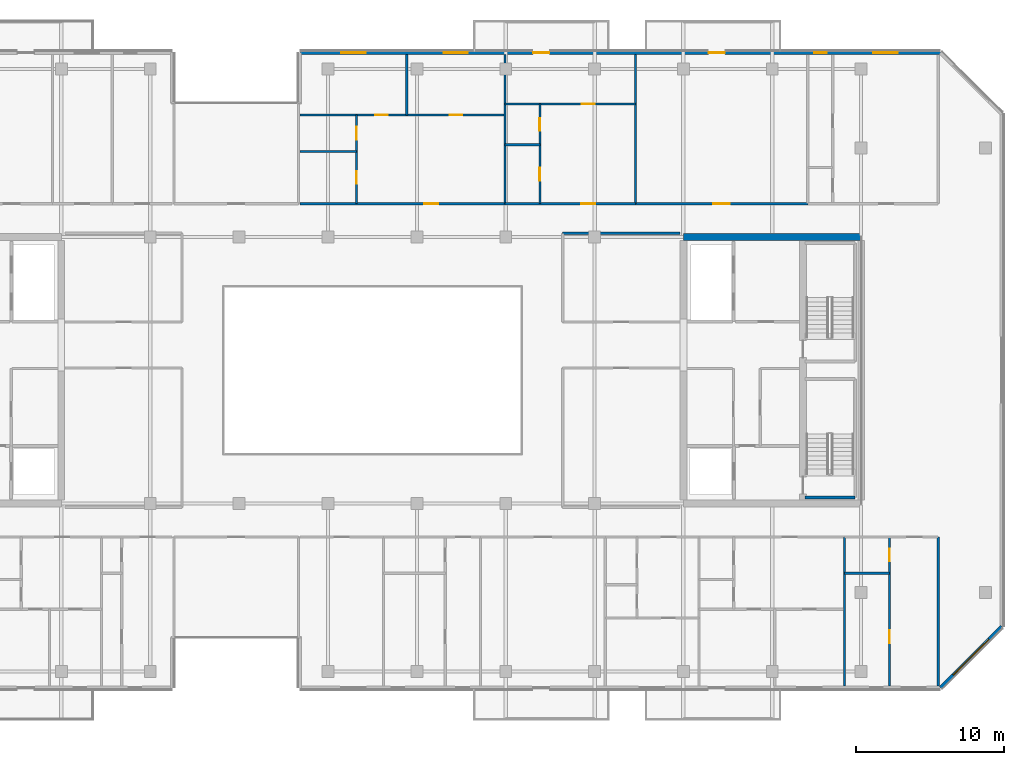
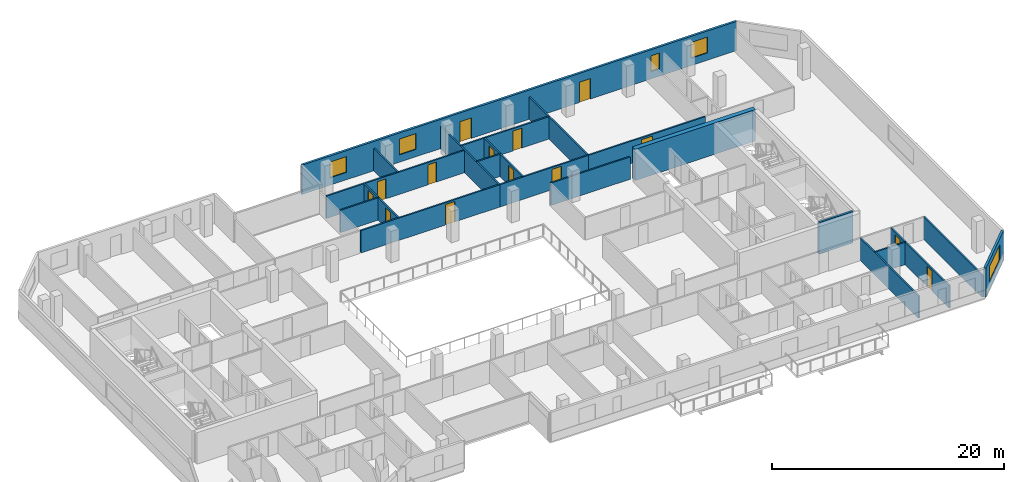
# One storey, part 10 of 16: 21 walls, 14 doors, 5 windows, 19 openings.
"""IFC4 building model written with IfcOpenShell, lengths in metres."""

from ifc_helpers import new_model, si_unit, direction, frame, frame_2d, origin, place, context, subcontext, project, spatial, rectangle, extrude, material, layer, layer_set, type_object, element, fill, save


model = new_model("IFC4")

# Units and contexts
model_context = context("Model", 3, precision=1e-05, world=origin(), true_north=direction((0.0, 1.0)))
body_context = subcontext(model_context, "Body", "Model", "MODEL_VIEW")
ifc_project = project(units=[si_unit("LENGTHUNIT", "METRE"), si_unit("AREAUNIT", "SQUARE_METRE"), si_unit("VOLUMEUNIT", "CUBIC_METRE"), si_unit("PLANEANGLEUNIT", "RADIAN"), si_unit("MASSUNIT", "GRAM", prefix="KILO")], contexts=[model_context])

# Site, building, storey
site_placement = place(None, origin())
site = spatial("IfcSite", under=ifc_project, at=site_placement, CompositionType="ELEMENT")
building_placement = place(site_placement, origin())
building = spatial("IfcBuilding", under=site, at=building_placement, Name="Tanjung Sevakor Pilgrim Tower", CompositionType="ELEMENT")
storey_placement = place(building_placement, frame((0.0, 0.0, 198.330078125)))
storey = spatial("IfcBuildingStorey", under=building, at=storey_placement, Name="L55", CompositionType="ELEMENT", Elevation=198.330078125)

# Walls
ifc_material_1 = material(Name="Concrete C60/75", Category="concrete")
ifc_layer_1 = layer(ifc_material_1, 0.449951171875)
ifc_layer_set_1 = layer_set([ifc_layer_1], Name="WALL-CW-450")
wall_type_1 = type_object("IfcWallType", Name="WALL-CW-450", PredefinedType="SHEAR", material=ifc_layer_set_1)
wall_1_placement = place(storey_placement, frame((90.0, 42.60009765625, 0.0), z_axis=(0.0, 0.0, 1.0), x_axis=(-1.0, 0.0, 0.0)))
element("IfcWall", 1, at=wall_1_placement, inside=storey, type_object=wall_type_1, Name="L55 E Core North Shear Wall", PredefinedType="SHEAR", context=body_context, shape_type="SweptSolid", body=[
    extrude(rectangle(XDim=12.0, YDim=0.449951171875, at=frame_2d((6.0, 0.0))), origin(), (0.0, 0.0, 1.0), 3.2998046875),
])
ifc_material_2 = material(Name="Concrete C40/50", Category="concrete")
ifc_layer_2 = layer(ifc_material_2, 0.14990234375)
ifc_layer_set_2 = layer_set([ifc_layer_2], Name="WT-COMP-150")
wall_type_2 = type_object("IfcWallType", Name="WT-COMP-150", PredefinedType="SOLIDWALL", material=ifc_layer_set_2)
wall_2_placement = place(storey_placement, frame((69.85009765625, 42.85009765625, 0.0), z_axis=(0.0, 0.0, 1.0), x_axis=(1.0, 0.0, 0.0)))
element("IfcWall", 2, at=wall_2_placement, inside=storey, type_object=wall_type_2, Name="L55 Partition IW-L55-029", PredefinedType="SOLIDWALL", context=body_context, shape_type="SweptSolid", body=[
    extrude(rectangle(XDim=7.90478515625, YDim=0.14990234375, at=frame_2d((3.952392578125, 0.0))), origin(), (0.0, 0.0, 1.0), 2.35009765625),
])
for number, where, z_axis, x_axis, name in (
    (3, (95.199951171875, 12.27001953125, 0.0), (0.0, 0.0, 1.0), (0.0, 1.0, 0.0), "L55 Partition IW-L55-051"),
    (4, (88.87841796875, 12.27001953125, 0.0), (0.0, 0.0, 1.0), (0.0, 1.0, 0.0), "L55 Partition IW-L55-065"),
):
    element("IfcWall", number, at=place(storey_placement, frame(where, z_axis=z_axis, x_axis=x_axis)), inside=storey, type_object=wall_type_2, Name=name, PredefinedType="SOLIDWALL", context=body_context, shape_type="SweptSolid", body=[
        extrude(rectangle(XDim=10.080078125, YDim=0.14990234375, at=frame_2d((5.0400390625, 0.0))), origin(), (0.0, 0.0, 1.0), 2.35009765625),
    ])
wall_3_placement = place(storey_placement, frame((65.955810546875, 44.85009765625, 0.0), z_axis=(0.0, 0.0, 1.0), x_axis=(0.0, 1.0, 0.0)))
element("IfcWall", 5, at=wall_3_placement, inside=storey, type_object=wall_type_2, Name="L55 Partition IW-L55-083", PredefinedType="SOLIDWALL", context=body_context, shape_type="SweptSolid", body=[
    extrude(rectangle(XDim=10.079833984375, YDim=0.14990234375, at=frame_2d((5.0400390625, 0.0))), origin(), (0.0, 0.0, 1.0), 2.35009765625),
])

# Wall, opening, door
wall_4_placement = place(storey_placement, frame((52.1201171875, 44.85009765625, 0.0), z_axis=(0.0, 0.0, 1.0), x_axis=(1.0, 0.0, 0.0)))
wall_4 = element("IfcWall", 6, at=wall_4_placement, inside=storey, type_object=wall_type_2, Name="L55 Partition IW-L55-088", PredefinedType="SOLIDWALL", context=body_context, shape_type="SweptSolid", body=[
    extrude(rectangle(XDim=13.835693359375, YDim=0.14990234375, at=frame_2d((6.91796875, 0.0))), origin(), (0.0, 0.0, 1.0), 2.35009765625),
])
opening_1_placement = place(wall_4_placement, frame((8.3828125, 0.0, 0.0)))
opening_1 = element("IfcOpeningElement", 7, at=opening_1_placement, cuts=wall_4, Name="Opening ID-FD2", PredefinedType="OPENING", context=body_context, shape_type="SweptSolid", body=[
    extrude(rectangle(XDim=0.949951171875, YDim=2.14990234375, at=frame_2d((0.47509765625, 1.074951171875))), frame((0.0, 0.0849609375, 0.0), z_axis=(0.0, -1.0, 0.0), x_axis=(1.0, 0.0, 0.0)), (0.0, 0.0, 1.0), 0.169921875),
])
ifc_material_3 = material(Name="Fire-Rated Timber", Category="wood")
door_type_1 = type_object("IfcDoorType", Name="DT-FIRE-950", OperationType="NOTDEFINED", PredefinedType="DOOR", material=ifc_material_3)
door_1_placement = place(opening_1_placement, origin())
door_1 = element("IfcDoor", 8, at=door_1_placement, inside=storey, type_object=door_type_1, Name="Suite Entrance", OperationType="SINGLE_SWING_RIGHT", OverallHeight=2.14990234375, OverallWidth=0.949951171875, PredefinedType="DOOR", context=body_context, shape_type="SweptSolid", body=[
    extrude(rectangle(XDim=0.949951171875, YDim=2.14990234375, at=frame_2d((0.47509765625, 1.074951171875))), frame((0.0, 0.02490234375, 0.0), z_axis=(0.0, -1.0, 0.0), x_axis=(1.0, 0.0, 0.0)), (0.0, 0.0, 1.0), 0.050048828125),
])
fill(opening_1, door_1)

# Wall
wall_5_placement = place(storey_placement, frame((74.760498046875, 44.85009765625, 0.0), z_axis=(0.0, 0.0, 1.0), x_axis=(0.0, 1.0, 0.0)))
element("IfcWall", 9, at=wall_5_placement, inside=storey, type_object=wall_type_2, Name="L55 Partition IW-L55-089", PredefinedType="SOLIDWALL", context=body_context, shape_type="SweptSolid", body=[
    extrude(rectangle(XDim=10.079833984375, YDim=0.14990234375, at=frame_2d((5.0400390625, 0.0))), origin(), (0.0, 0.0, 1.0), 2.35009765625),
])

# Wall, opening, door
wall_6_placement = place(storey_placement, frame((65.955810546875, 44.85009765625, 0.0), z_axis=(0.0, 0.0, 1.0), x_axis=(1.0, 0.0, 0.0)))
wall_6 = element("IfcWall", 10, at=wall_6_placement, inside=storey, type_object=wall_type_2, Name="L55 Partition IW-L55-093", PredefinedType="SOLIDWALL", context=body_context, shape_type="SweptSolid", body=[
    extrude(rectangle(XDim=8.8046875, YDim=0.14990234375, at=frame_2d((4.40234375, 0.0))), origin(), (0.0, 0.0, 1.0), 2.35009765625),
])
opening_2_placement = place(wall_6_placement, frame((5.142333984375, 0.0, 0.0)))
opening_2 = element("IfcOpeningElement", 11, at=opening_2_placement, cuts=wall_6, Name="Opening ID-FD2", PredefinedType="OPENING", context=body_context, shape_type="SweptSolid", body=[
    extrude(rectangle(XDim=0.949951171875, YDim=2.14990234375, at=frame_2d((0.47509765625, 1.074951171875))), frame((0.0, 0.0849609375, 0.0), z_axis=(0.0, -1.0, 0.0), x_axis=(1.0, 0.0, 0.0)), (0.0, 0.0, 1.0), 0.169921875),
])
door_2_placement = place(opening_2_placement, origin())
door_2 = element("IfcDoor", 12, at=door_2_placement, inside=storey, type_object=door_type_1, Name="Residence Entrance", OperationType="SINGLE_SWING_RIGHT", OverallHeight=2.14990234375, OverallWidth=0.949951171875, PredefinedType="DOOR", context=body_context, shape_type="SweptSolid", body=[
    extrude(rectangle(XDim=0.949951171875, YDim=2.14990234375, at=frame_2d((0.47509765625, 1.074951171875))), frame((0.0, 0.02490234375, 0.0), z_axis=(0.0, -1.0, 0.0), x_axis=(1.0, 0.0, 0.0)), (0.0, 0.0, 1.0), 0.050048828125),
])
fill(opening_2, door_2)

wall_7_placement = place(storey_placement, frame((74.760498046875, 44.85009765625, 0.0), z_axis=(0.0, 0.0, 1.0), x_axis=(1.0, 0.0, 0.0)))
wall_7 = element("IfcWall", 13, at=wall_7_placement, inside=storey, type_object=wall_type_2, Name="L55 Partition IW-L55-095", PredefinedType="SOLIDWALL", context=body_context, shape_type="SweptSolid", body=[
    extrude(rectangle(XDim=11.634765625, YDim=0.14990234375, at=frame_2d((5.8173828125, 0.0))), origin(), (0.0, 0.0, 1.0), 2.35009765625),
])
opening_3_placement = place(wall_7_placement, frame((5.267333984375, 0.0, 0.0)))
opening_3 = element("IfcOpeningElement", 14, at=opening_3_placement, cuts=wall_7, Name="Opening ID-FD0", PredefinedType="OPENING", context=body_context, shape_type="SweptSolid", body=[
    extrude(rectangle(XDim=1.10009765625, YDim=2.14990234375, at=frame_2d((0.550048828125, 1.074951171875))), frame((0.0, 0.0849609375, 0.0), z_axis=(0.0, -1.0, 0.0), x_axis=(1.0, 0.0, 0.0)), (0.0, 0.0, 1.0), 0.169921875),
])
ifc_material_4 = material(Name="Fire-Rated Steel S355J2", Category="steel")
door_type_2 = type_object("IfcDoorType", Name="DT-FIRE-1100", OperationType="NOTDEFINED", PredefinedType="DOOR", material=ifc_material_4)
door_3_placement = place(opening_3_placement, origin())
door_3 = element("IfcDoor", 15, at=door_3_placement, inside=storey, type_object=door_type_2, Name="Seminar Room Door", OperationType="SINGLE_SWING_LEFT", OverallHeight=2.14990234375, OverallWidth=1.10009765625, PredefinedType="DOOR", context=body_context, shape_type="SweptSolid", body=[
    extrude(rectangle(XDim=1.10009765625, YDim=2.14990234375, at=frame_2d((0.550048828125, 1.074951171875))), frame((0.0, 0.02490234375, 0.0), z_axis=(0.0, -1.0, 0.0), x_axis=(1.0, 0.0, 0.0)), (0.0, 0.0, 1.0), 0.050048828125),
])
fill(opening_3, door_3)

# Wall, opening, window
ifc_material_5 = material(Name="Precast concrete C45/55", Category="concrete")
ifc_layer_3 = layer(ifc_material_5, 0.219970703125)
ifc_layer_set_3 = layer_set([ifc_layer_3], Name="WT-EW-STN4")
wall_type_3 = type_object("IfcWallType", Name="WT-EW-STN4", PredefinedType="SOLIDWALL", material=ifc_layer_set_3)
wall_8_placement = place(storey_placement, frame((95.3544921875, 12.159912109375, 0.0), z_axis=(0.0, 0.0, 1.0), x_axis=(0.707085909342, 0.707127652415, 0.0)))
wall_8 = element("IfcWall", 16, at=wall_8_placement, inside=storey, type_object=wall_type_3, Name="L55 MAIN Sculpted Corner Wall 5", PredefinedType="SOLIDWALL", context=body_context, shape_type="SweptSolid", body=[
    extrude(rectangle(XDim=5.8486328125, YDim=0.219970703125, at=frame_2d((2.92431640625, 0.0))), origin(), (0.0, 0.0, 1.0), 3.080078125),
])
opening_4_placement = place(wall_8_placement, frame((1.224365234375, 0.0, 0.780029296875)))
opening_4 = element("IfcOpeningElement", 17, at=opening_4_placement, cuts=wall_8, Name="Opening WN-CHM-1660", PredefinedType="OPENING", context=body_context, shape_type="SweptSolid", body=[
    extrude(rectangle(XDim=3.39990234375, YDim=1.659912109375, at=frame_2d((1.699951171875, 0.830078125))), frame((0.0, 0.119873046875, 0.0), z_axis=(0.0, -1.0, 0.0), x_axis=(1.0, 0.0, 0.0)), (0.0, 0.0, 1.0), 0.239990234375),
])
ifc_material_6 = material(Name="Thermally Broken Aluminium and Low-E Glass", Category="aluminium")
window_type_1 = type_object("IfcWindowType", Name="WTYP-WN-CHM-1660", PartitioningType="DOUBLE_PANEL_VERTICAL", PredefinedType="WINDOW", material=ifc_material_6)
window_1_placement = place(opening_4_placement, origin())
window_1 = element("IfcWindow", 18, at=window_1_placement, inside=storey, type_object=window_type_1, Name="L55 Facade Window 01", OverallHeight=1.659912109375, OverallWidth=3.39990234375, PartitioningType="SINGLE_PANEL", PredefinedType="WINDOW", context=body_context, shape_type="SweptSolid", body=[
    extrude(rectangle(XDim=3.39990234375, YDim=1.659912109375, at=frame_2d((1.699951171875, 0.830078125))), frame((0.0, 0.030029296875, 0.0), z_axis=(0.0, -1.0, 0.0), x_axis=(1.0, 0.0, 0.0)), (0.0, 0.0, 1.0), 0.06005859375),
])
fill(opening_4, window_1)

# Wall, openings, doors, windows
wall_9_placement = place(storey_placement, frame((95.3544921875, 55.0400390625, 0.0), z_axis=(0.0, 0.0, 1.0), x_axis=(-1.0, 0.0, 0.0)))
wall_9 = element("IfcWall", 19, at=wall_9_placement, inside=storey, type_object=wall_type_3, Name="L55 MAIN Exterior Wall 9", PredefinedType="SOLIDWALL", context=body_context, shape_type="SweptSolid", body=[
    extrude(rectangle(XDim=43.244384765625, YDim=0.219970703125, at=frame_2d((21.6220703125, 0.0))), origin(), (0.0, 0.0, 1.0), 3.080078125),
])
opening_5_placement = place(wall_9_placement, frame((26.404296875, 0.0, 0.0)))
opening_5 = element("IfcOpeningElement", 20, at=opening_5_placement, cuts=wall_9, Name="Opening ED-BAL-1100", PredefinedType="OPENING", context=body_context, shape_type="SweptSolid", body=[
    extrude(rectangle(XDim=1.10009765625, YDim=2.14990234375, at=frame_2d((0.550048828125, 1.074951171875))), frame((0.0, 0.119873046875, 0.0), z_axis=(0.0, -1.0, 0.0), x_axis=(1.0, 0.0, 0.0)), (0.0, 0.0, 1.0), 0.239990234375),
])
opening_6_placement = place(wall_9_placement, frame((14.554443359375, 0.0, 0.0)))
opening_6 = element("IfcOpeningElement", 21, at=opening_6_placement, cuts=wall_9, Name="Opening ED-BAL-1100", PredefinedType="OPENING", context=body_context, shape_type="SweptSolid", body=[
    extrude(rectangle(XDim=1.10009765625, YDim=2.14990234375, at=frame_2d((0.550048828125, 1.074951171875))), frame((0.0, 0.119873046875, 0.0), z_axis=(0.0, -1.0, 0.0), x_axis=(1.0, 0.0, 0.0)), (0.0, 0.0, 1.0), 0.239990234375),
])
opening_7_placement = place(wall_9_placement, frame((38.802001953125, 0.0, 0.780029296875)))
opening_7 = element("IfcOpeningElement", 22, at=opening_7_placement, cuts=wall_9, Name="Opening WN-Z4-1660", PredefinedType="OPENING", context=body_context, shape_type="SweptSolid", body=[
    extrude(rectangle(XDim=1.64990234375, YDim=1.659912109375, at=frame_2d((0.824951171875, 0.830078125))), frame((0.0, 0.119873046875, 0.0), z_axis=(0.0, -1.0, 0.0), x_axis=(1.0, 0.0, 0.0)), (0.0, 0.0, 1.0), 0.239990234375),
])
opening_8_placement = place(wall_9_placement, frame((31.904052734375, 0.0, 0.780029296875)))
opening_8 = element("IfcOpeningElement", 23, at=opening_8_placement, cuts=wall_9, Name="Opening WN-Z4-1660", PredefinedType="OPENING", context=body_context, shape_type="SweptSolid", body=[
    extrude(rectangle(XDim=1.64990234375, YDim=1.659912109375, at=frame_2d((0.824951171875, 0.830078125))), frame((0.0, 0.119873046875, 0.0), z_axis=(0.0, -1.0, 0.0), x_axis=(1.0, 0.0, 0.0)), (0.0, 0.0, 1.0), 0.239990234375),
])
opening_9_placement = place(wall_9_placement, frame((7.681640625, 0.0, 0.780029296875)))
opening_9 = element("IfcOpeningElement", 24, at=opening_9_placement, cuts=wall_9, Name="Opening WN-SLM", PredefinedType="OPENING", context=body_context, shape_type="SweptSolid", body=[
    extrude(rectangle(XDim=0.85009765625, YDim=1.64990234375, at=frame_2d((0.425048828125, 0.824951171875))), frame((0.0, 0.119873046875, 0.0), z_axis=(0.0, -1.0, 0.0), x_axis=(1.0, 0.0, 0.0)), (0.0, 0.0, 1.0), 0.239990234375),
])
opening_10_placement = place(wall_9_placement, frame((2.8994140625, 0.0, 0.780029296875)))
opening_10 = element("IfcOpeningElement", 25, at=opening_10_placement, cuts=wall_9, Name="Opening WN-Z4-1660", PredefinedType="OPENING", context=body_context, shape_type="SweptSolid", body=[
    extrude(rectangle(XDim=1.64990234375, YDim=1.659912109375, at=frame_2d((0.824951171875, 0.830078125))), frame((0.0, 0.119873046875, 0.0), z_axis=(0.0, -1.0, 0.0), x_axis=(1.0, 0.0, 0.0)), (0.0, 0.0, 1.0), 0.239990234375),
])
ifc_material_7 = material(Name="Anodised Aluminium and Laminated Glass", Category="aluminium")
door_type_3 = type_object("IfcDoorType", Name="DTYP-ED-BAL-1100", OperationType="NOTDEFINED", PredefinedType="DOOR", material=ifc_material_7)
door_4_placement = place(opening_5_placement, frame((1.10009765625, 0.0, 0.0), z_axis=(0.0, 0.0, 1.0), x_axis=(-1.0, 0.0, 0.0)))
door_4 = element("IfcDoor", 26, at=door_4_placement, inside=storey, type_object=door_type_3, Name="L55 Balcony Door MAIN-N2", OperationType="SINGLE_SWING_RIGHT", OverallHeight=2.14990234375, OverallWidth=1.10009765625, PredefinedType="DOOR", context=body_context, shape_type="SweptSolid", body=[
    extrude(rectangle(XDim=1.10009765625, YDim=2.14990234375, at=frame_2d((0.550048828125, 1.074951171875))), frame((0.0, 0.02490234375, 0.0), z_axis=(0.0, -1.0, 0.0), x_axis=(1.0, 0.0, 0.0)), (0.0, 0.0, 1.0), 0.050048828125),
])
fill(opening_5, door_4)
door_5_placement = place(opening_6_placement, frame((1.10009765625, 0.0, 0.0), z_axis=(0.0, 0.0, 1.0), x_axis=(-1.0, 0.0, 0.0)))
door_5 = element("IfcDoor", 27, at=door_5_placement, inside=storey, type_object=door_type_3, Name="L55 Balcony Door MAIN-N3", OperationType="SINGLE_SWING_LEFT", OverallHeight=2.14990234375, OverallWidth=1.10009765625, PredefinedType="DOOR", context=body_context, shape_type="SweptSolid", body=[
    extrude(rectangle(XDim=1.10009765625, YDim=2.14990234375, at=frame_2d((0.550048828125, 1.074951171875))), frame((0.0, 0.02490234375, 0.0), z_axis=(0.0, -1.0, 0.0), x_axis=(1.0, 0.0, 0.0)), (0.0, 0.0, 1.0), 0.050048828125),
])
fill(opening_6, door_5)
ifc_material_8 = material(Name="Thermally Broken Aluminium and Low-E Glass", Category="aluminium")
window_type_2 = type_object("IfcWindowType", Name="WTYP-WN-SLM", PartitioningType="SINGLE_PANEL", PredefinedType="WINDOW", material=ifc_material_8)
window_2_placement = place(opening_9_placement, origin())
window_2 = element("IfcWindow", 28, at=window_2_placement, inside=storey, type_object=window_type_2, Name="L55 Facade Window 03", OverallHeight=1.64990234375, OverallWidth=0.85009765625, PartitioningType="SINGLE_PANEL", PredefinedType="WINDOW", context=body_context, shape_type="SweptSolid", body=[
    extrude(rectangle(XDim=0.85009765625, YDim=1.64990234375, at=frame_2d((0.425048828125, 0.824951171875))), frame((0.0, 0.030029296875, 0.0), z_axis=(0.0, -1.0, 0.0), x_axis=(1.0, 0.0, 0.0)), (0.0, 0.0, 1.0), 0.06005859375),
])
fill(opening_9, window_2)
ifc_material_9 = material(Name="Thermally Broken Aluminium and Low-E Glass", Category="aluminium")
window_type_3 = type_object("IfcWindowType", Name="WTYP-WN-Z4-1660", PartitioningType="DOUBLE_PANEL_VERTICAL", PredefinedType="WINDOW", material=ifc_material_9)
window_3_placement = place(opening_7_placement, origin())
window_3 = element("IfcWindow", 29, at=window_3_placement, inside=storey, type_object=window_type_3, Name="L55 Facade Window 01", OverallHeight=1.659912109375, OverallWidth=1.64990234375, PartitioningType="SINGLE_PANEL", PredefinedType="WINDOW", context=body_context, shape_type="SweptSolid", body=[
    extrude(rectangle(XDim=1.64990234375, YDim=1.659912109375, at=frame_2d((0.824951171875, 0.830078125))), frame((0.0, 0.030029296875, 0.0), z_axis=(0.0, -1.0, 0.0), x_axis=(1.0, 0.0, 0.0)), (0.0, 0.0, 1.0), 0.06005859375),
])
fill(opening_7, window_3)
window_4_placement = place(opening_8_placement, origin())
window_4 = element("IfcWindow", 30, at=window_4_placement, inside=storey, type_object=window_type_3, Name="L55 Facade Window 02", OverallHeight=1.659912109375, OverallWidth=1.64990234375, PartitioningType="SINGLE_PANEL", PredefinedType="WINDOW", context=body_context, shape_type="SweptSolid", body=[
    extrude(rectangle(XDim=1.64990234375, YDim=1.659912109375, at=frame_2d((0.824951171875, 0.830078125))), frame((0.0, 0.030029296875, 0.0), z_axis=(0.0, -1.0, 0.0), x_axis=(1.0, 0.0, 0.0)), (0.0, 0.0, 1.0), 0.06005859375),
])
fill(opening_8, window_4)
window_5_placement = place(opening_10_placement, origin())
window_5 = element("IfcWindow", 31, at=window_5_placement, inside=storey, type_object=window_type_3, Name="L55 Facade Window 04", OverallHeight=1.659912109375, OverallWidth=1.64990234375, PartitioningType="SINGLE_PANEL", PredefinedType="WINDOW", context=body_context, shape_type="SweptSolid", body=[
    extrude(rectangle(XDim=1.64990234375, YDim=1.659912109375, at=frame_2d((0.824951171875, 0.830078125))), frame((0.0, 0.030029296875, 0.0), z_axis=(0.0, -1.0, 0.0), x_axis=(1.0, 0.0, 0.0)), (0.0, 0.0, 1.0), 0.06005859375),
])
fill(opening_10, window_5)

# Walls
ifc_material_10 = material(Name="Concrete C40/50", Category="concrete")
ifc_layer_4 = layer(ifc_material_10, 0.199951171875)
ifc_layer_set_4 = layer_set([ifc_layer_4], Name="WT-FIRE-200")
wall_type_4 = type_object("IfcWallType", Name="WT-FIRE-200", PredefinedType="SOLIDWALL", material=ifc_layer_set_4)
wall_10_placement = place(storey_placement, frame((86.199951171875, 25.0, 0.0), z_axis=(0.0, 0.0, 1.0), x_axis=(1.0, 0.0, 0.0)))
element("IfcWall", 32, at=wall_10_placement, inside=storey, type_object=wall_type_4, Name="L55 TS-E1 Shaft Wall 1", PredefinedType="SOLIDWALL", context=body_context, shape_type="SweptSolid", body=[
    extrude(rectangle(XDim=3.400146484375, YDim=0.199951171875, at=frame_2d((1.7001953125, 0.0))), origin(), (0.0, 0.0, 1.0), 3.2998046875),
])
ifc_material_11 = material(Name="Gypsum Board Partition", Category="gypsum board")
ifc_layer_5 = layer(ifc_material_11, 0.14990234375)
ifc_layer_set_5 = layer_set([ifc_layer_5], Name="WT-PART-150")
wall_type_5 = type_object("IfcWallType", Name="WT-PART-150", PredefinedType="PARTITIONING", material=ifc_layer_set_5)
wall_11_placement = place(storey_placement, frame((88.87841796875, 19.89990234375, 0.0), z_axis=(0.0, 0.0, 1.0), x_axis=(1.0, 0.0, 0.0)))
element("IfcWall", 33, at=wall_11_placement, inside=storey, type_object=wall_type_5, Name="L55 Partition IW-L55-071", PredefinedType="PARTITIONING", context=body_context, shape_type="SweptSolid", body=[
    extrude(rectangle(XDim=3.04150390625, YDim=0.14990234375, at=frame_2d((1.520751953125, 0.0))), origin(), (0.0, 0.0, 1.0), 2.35009765625),
])

# Wall, openings, doors
wall_12_placement = place(storey_placement, frame((91.919921875, 12.27001953125, 0.0), z_axis=(0.0, 0.0, 1.0), x_axis=(0.0, 1.0, 0.0)))
wall_12 = element("IfcWall", 34, at=wall_12_placement, inside=storey, type_object=wall_type_5, Name="L55 Partition IW-L55-072", PredefinedType="PARTITIONING", context=body_context, shape_type="SweptSolid", body=[
    extrude(rectangle(XDim=10.080078125, YDim=0.14990234375, at=frame_2d((5.0400390625, 0.0))), origin(), (0.0, 0.0, 1.0), 2.35009765625),
])
opening_11_placement = place(wall_12_placement, frame((2.912109375, 0.0, 0.0)))
opening_11 = element("IfcOpeningElement", 35, at=opening_11_placement, cuts=wall_12, Name="Opening ID-WC1", PredefinedType="OPENING", context=body_context, shape_type="SweptSolid", body=[
    extrude(rectangle(XDim=0.85009765625, YDim=2.10009765625, at=frame_2d((0.425048828125, 1.050048828125))), frame((0.0, 0.0849609375, 0.0), z_axis=(0.0, -1.0, 0.0), x_axis=(1.0, 0.0, 0.0)), (0.0, 0.0, 1.0), 0.169921875),
])
opening_12_placement = place(wall_12_placement, frame((8.429931640625, 0.0, 0.0)))
opening_12 = element("IfcOpeningElement", 36, at=opening_12_placement, cuts=wall_12, Name="Opening ID-WC1", PredefinedType="OPENING", context=body_context, shape_type="SweptSolid", body=[
    extrude(rectangle(XDim=0.85009765625, YDim=2.10009765625, at=frame_2d((0.425048828125, 1.050048828125))), frame((0.0, 0.0849609375, 0.0), z_axis=(0.0, -1.0, 0.0), x_axis=(1.0, 0.0, 0.0)), (0.0, 0.0, 1.0), 0.169921875),
])
ifc_material_12 = material(Name="Moisture-Resistant Timber", Category="wood")
door_type_4 = type_object("IfcDoorType", Name="DT-INT-850", OperationType="NOTDEFINED", PredefinedType="DOOR", material=ifc_material_12)
door_6_placement = place(opening_11_placement, origin())
door_6 = element("IfcDoor", 37, at=door_6_placement, inside=storey, type_object=door_type_4, Name="Study Nook Door", OperationType="SINGLE_SWING_LEFT", OverallHeight=2.10009765625, OverallWidth=0.85009765625, PredefinedType="DOOR", context=body_context, shape_type="SweptSolid", body=[
    extrude(rectangle(XDim=0.85009765625, YDim=2.10009765625, at=frame_2d((0.425048828125, 1.050048828125))), frame((0.0, 0.02490234375, 0.0), z_axis=(0.0, -1.0, 0.0), x_axis=(1.0, 0.0, 0.0)), (0.0, 0.0, 1.0), 0.050048828125),
])
fill(opening_11, door_6)
door_7_placement = place(opening_12_placement, origin())
door_7 = element("IfcDoor", 38, at=door_7_placement, inside=storey, type_object=door_type_4, Name="Bathroom Door", OperationType="SINGLE_SWING_RIGHT", OverallHeight=2.10009765625, OverallWidth=0.85009765625, PredefinedType="DOOR", context=body_context, shape_type="SweptSolid", body=[
    extrude(rectangle(XDim=0.85009765625, YDim=2.10009765625, at=frame_2d((0.425048828125, 1.050048828125))), frame((0.0, 0.02490234375, 0.0), z_axis=(0.0, -1.0, 0.0), x_axis=(1.0, 0.0, 0.0)), (0.0, 0.0, 1.0), 0.050048828125),
])
fill(opening_12, door_7)

# Wall
wall_13_placement = place(storey_placement, frame((52.1201171875, 48.378173828125, 0.0), z_axis=(0.0, 0.0, 1.0), x_axis=(1.0, 0.0, 0.0)))
element("IfcWall", 39, at=wall_13_placement, inside=storey, type_object=wall_type_5, Name="L55 Partition IW-L55-084", PredefinedType="PARTITIONING", context=body_context, shape_type="SweptSolid", body=[
    extrude(rectangle(XDim=3.7998046875, YDim=0.14990234375, at=frame_2d((1.89990234375, 0.0))), origin(), (0.0, 0.0, 1.0), 2.35009765625),
])

# Wall, openings, doors
wall_14_placement = place(storey_placement, frame((55.919921875, 44.85009765625, 0.0), z_axis=(0.0, 0.0, 1.0), x_axis=(0.0, 1.0, 0.0)))
wall_14 = element("IfcWall", 40, at=wall_14_placement, inside=storey, type_object=wall_type_5, Name="L55 Partition IW-L55-085", PredefinedType="PARTITIONING", context=body_context, shape_type="SweptSolid", body=[
    extrude(rectangle(XDim=5.979736328125, YDim=0.14990234375, at=frame_2d((2.98974609375, 0.0))), origin(), (0.0, 0.0, 1.0), 2.35009765625),
])
opening_13_placement = place(wall_14_placement, frame((1.339111328125, 0.0, 0.0)))
opening_13 = element("IfcOpeningElement", 41, at=opening_13_placement, cuts=wall_14, Name="Opening ID-WC1", PredefinedType="OPENING", context=body_context, shape_type="SweptSolid", body=[
    extrude(rectangle(XDim=0.85009765625, YDim=2.10009765625, at=frame_2d((0.425048828125, 1.050048828125))), frame((0.0, 0.0849609375, 0.0), z_axis=(0.0, -1.0, 0.0), x_axis=(1.0, 0.0, 0.0)), (0.0, 0.0, 1.0), 0.169921875),
])
opening_14_placement = place(wall_14_placement, frame((4.328857421875, 0.0, 0.0)))
opening_14 = element("IfcOpeningElement", 42, at=opening_14_placement, cuts=wall_14, Name="Opening ID-WC1", PredefinedType="OPENING", context=body_context, shape_type="SweptSolid", body=[
    extrude(rectangle(XDim=0.85009765625, YDim=2.10009765625, at=frame_2d((0.425048828125, 1.050048828125))), frame((0.0, 0.0849609375, 0.0), z_axis=(0.0, -1.0, 0.0), x_axis=(1.0, 0.0, 0.0)), (0.0, 0.0, 1.0), 0.169921875),
])
door_8_placement = place(opening_13_placement, origin())
door_8 = element("IfcDoor", 43, at=door_8_placement, inside=storey, type_object=door_type_4, Name="Suite Kitchenette Door", OperationType="SINGLE_SWING_RIGHT", OverallHeight=2.10009765625, OverallWidth=0.85009765625, PredefinedType="DOOR", context=body_context, shape_type="SweptSolid", body=[
    extrude(rectangle(XDim=0.85009765625, YDim=2.10009765625, at=frame_2d((0.425048828125, 1.050048828125))), frame((0.0, 0.02490234375, 0.0), z_axis=(0.0, -1.0, 0.0), x_axis=(1.0, 0.0, 0.0)), (0.0, 0.0, 1.0), 0.050048828125),
])
fill(opening_13, door_8)
door_9_placement = place(opening_14_placement, origin())
door_9 = element("IfcDoor", 44, at=door_9_placement, inside=storey, type_object=door_type_4, Name="Suite Bathroom Door", OperationType="SINGLE_SWING_LEFT", OverallHeight=2.10009765625, OverallWidth=0.85009765625, PredefinedType="DOOR", context=body_context, shape_type="SweptSolid", body=[
    extrude(rectangle(XDim=0.85009765625, YDim=2.10009765625, at=frame_2d((0.425048828125, 1.050048828125))), frame((0.0, 0.02490234375, 0.0), z_axis=(0.0, -1.0, 0.0), x_axis=(1.0, 0.0, 0.0)), (0.0, 0.0, 1.0), 0.050048828125),
])
fill(opening_14, door_9)

# Wall
wall_15_placement = place(storey_placement, frame((59.314697265625, 50.829833984375, 0.0), z_axis=(0.0, 0.0, 1.0), x_axis=(0.0, 1.0, 0.0)))
element("IfcWall", 45, at=wall_15_placement, inside=storey, type_object=wall_type_5, Name="L55 Partition IW-L55-086", PredefinedType="PARTITIONING", context=body_context, shape_type="SweptSolid", body=[
    extrude(rectangle(XDim=4.10009765625, YDim=0.14990234375, at=frame_2d((2.050048828125, 0.0))), origin(), (0.0, 0.0, 1.0), 2.35009765625),
])

# Wall, openings, doors
wall_16_placement = place(storey_placement, frame((52.1201171875, 50.829833984375, 0.0), z_axis=(0.0, 0.0, 1.0), x_axis=(1.0, 0.0, 0.0)))
wall_16 = element("IfcWall", 46, at=wall_16_placement, inside=storey, type_object=wall_type_5, Name="L55 Partition IW-L55-087", PredefinedType="PARTITIONING", context=body_context, shape_type="SweptSolid", body=[
    extrude(rectangle(XDim=13.835693359375, YDim=0.14990234375, at=frame_2d((6.91796875, 0.0))), origin(), (0.0, 0.0, 1.0), 2.35009765625),
])
opening_15_placement = place(wall_16_placement, frame((5.072509765625, 0.0, 0.0)))
opening_15 = element("IfcOpeningElement", 47, at=opening_15_placement, cuts=wall_16, Name="Opening ID-WC1", PredefinedType="OPENING", context=body_context, shape_type="SweptSolid", body=[
    extrude(rectangle(XDim=0.85009765625, YDim=2.10009765625, at=frame_2d((0.425048828125, 1.050048828125))), frame((0.0, 0.0849609375, 0.0), z_axis=(0.0, -1.0, 0.0), x_axis=(1.0, 0.0, 0.0)), (0.0, 0.0, 1.0), 0.169921875),
])
opening_16_placement = place(wall_16_placement, frame((10.09033203125, 0.0, 0.0)))
opening_16 = element("IfcOpeningElement", 48, at=opening_16_placement, cuts=wall_16, Name="Opening ID-WC1", PredefinedType="OPENING", context=body_context, shape_type="SweptSolid", body=[
    extrude(rectangle(XDim=0.85009765625, YDim=2.10009765625, at=frame_2d((0.425048828125, 1.050048828125))), frame((0.0, 0.0849609375, 0.0), z_axis=(0.0, -1.0, 0.0), x_axis=(1.0, 0.0, 0.0)), (0.0, 0.0, 1.0), 0.169921875),
])
door_10_placement = place(opening_15_placement, origin())
door_10 = element("IfcDoor", 49, at=door_10_placement, inside=storey, type_object=door_type_4, Name="Suite Bedroom 1 Door", OperationType="SINGLE_SWING_RIGHT", OverallHeight=2.10009765625, OverallWidth=0.85009765625, PredefinedType="DOOR", context=body_context, shape_type="SweptSolid", body=[
    extrude(rectangle(XDim=0.85009765625, YDim=2.10009765625, at=frame_2d((0.425048828125, 1.050048828125))), frame((0.0, 0.02490234375, 0.0), z_axis=(0.0, -1.0, 0.0), x_axis=(1.0, 0.0, 0.0)), (0.0, 0.0, 1.0), 0.050048828125),
])
fill(opening_15, door_10)
door_11_placement = place(opening_16_placement, origin())
door_11 = element("IfcDoor", 50, at=door_11_placement, inside=storey, type_object=door_type_4, Name="Suite Bedroom 2 Door", OperationType="SINGLE_SWING_LEFT", OverallHeight=2.10009765625, OverallWidth=0.85009765625, PredefinedType="DOOR", context=body_context, shape_type="SweptSolid", body=[
    extrude(rectangle(XDim=0.85009765625, YDim=2.10009765625, at=frame_2d((0.425048828125, 1.050048828125))), frame((0.0, 0.02490234375, 0.0), z_axis=(0.0, -1.0, 0.0), x_axis=(1.0, 0.0, 0.0)), (0.0, 0.0, 1.0), 0.050048828125),
])
fill(opening_16, door_11)

# Wall
wall_17_placement = place(storey_placement, frame((65.955810546875, 48.8203125, 0.0), z_axis=(0.0, 0.0, 1.0), x_axis=(1.0, 0.0, 0.0)))
element("IfcWall", 51, at=wall_17_placement, inside=storey, type_object=wall_type_5, Name="L55 Partition IW-L55-090", PredefinedType="PARTITIONING", context=body_context, shape_type="SweptSolid", body=[
    extrude(rectangle(XDim=2.35009765625, YDim=0.14990234375, at=frame_2d((1.175048828125, 0.0))), origin(), (0.0, 0.0, 1.0), 2.35009765625),
])

# Wall, openings, doors
wall_18_placement = place(storey_placement, frame((68.305908203125, 44.85009765625, 0.0), z_axis=(0.0, 0.0, 1.0), x_axis=(0.0, 1.0, 0.0)))
wall_18 = element("IfcWall", 52, at=wall_18_placement, inside=storey, type_object=wall_type_5, Name="L55 Partition IW-L55-091", PredefinedType="PARTITIONING", context=body_context, shape_type="SweptSolid", body=[
    extrude(rectangle(XDim=6.7294921875, YDim=0.14990234375, at=frame_2d((3.36474609375, 0.0))), origin(), (0.0, 0.0, 1.0), 2.35009765625),
])
opening_17_placement = place(wall_18_placement, frame((1.560302734375, 0.0, 0.0)))
opening_17 = element("IfcOpeningElement", 53, at=opening_17_placement, cuts=wall_18, Name="Opening ID-WC1", PredefinedType="OPENING", context=body_context, shape_type="SweptSolid", body=[
    extrude(rectangle(XDim=0.85009765625, YDim=2.10009765625, at=frame_2d((0.425048828125, 1.050048828125))), frame((0.0, 0.0849609375, 0.0), z_axis=(0.0, -1.0, 0.0), x_axis=(1.0, 0.0, 0.0)), (0.0, 0.0, 1.0), 0.169921875),
])
opening_18_placement = place(wall_18_placement, frame((4.9248046875, 0.0, 0.0)))
opening_18 = element("IfcOpeningElement", 54, at=opening_18_placement, cuts=wall_18, Name="Opening ID-WC1", PredefinedType="OPENING", context=body_context, shape_type="SweptSolid", body=[
    extrude(rectangle(XDim=0.85009765625, YDim=2.10009765625, at=frame_2d((0.425048828125, 1.050048828125))), frame((0.0, 0.0849609375, 0.0), z_axis=(0.0, -1.0, 0.0), x_axis=(1.0, 0.0, 0.0)), (0.0, 0.0, 1.0), 0.169921875),
])
door_12_placement = place(opening_17_placement, origin())
door_12 = element("IfcDoor", 55, at=door_12_placement, inside=storey, type_object=door_type_4, Name="Residence Kitchenette Door", OperationType="SINGLE_SWING_LEFT", OverallHeight=2.10009765625, OverallWidth=0.85009765625, PredefinedType="DOOR", context=body_context, shape_type="SweptSolid", body=[
    extrude(rectangle(XDim=0.85009765625, YDim=2.10009765625, at=frame_2d((0.425048828125, 1.050048828125))), frame((0.0, 0.02490234375, 0.0), z_axis=(0.0, -1.0, 0.0), x_axis=(1.0, 0.0, 0.0)), (0.0, 0.0, 1.0), 0.050048828125),
])
fill(opening_17, door_12)
door_13_placement = place(opening_18_placement, origin())
door_13 = element("IfcDoor", 56, at=door_13_placement, inside=storey, type_object=door_type_4, Name="Residence Bathroom Door", OperationType="SINGLE_SWING_RIGHT", OverallHeight=2.10009765625, OverallWidth=0.85009765625, PredefinedType="DOOR", context=body_context, shape_type="SweptSolid", body=[
    extrude(rectangle(XDim=0.85009765625, YDim=2.10009765625, at=frame_2d((0.425048828125, 1.050048828125))), frame((0.0, 0.02490234375, 0.0), z_axis=(0.0, -1.0, 0.0), x_axis=(1.0, 0.0, 0.0)), (0.0, 0.0, 1.0), 0.050048828125),
])
fill(opening_18, door_13)

# Wall, opening, door
wall_19_placement = place(storey_placement, frame((65.955810546875, 51.57958984375, 0.0), z_axis=(0.0, 0.0, 1.0), x_axis=(1.0, 0.0, 0.0)))
wall_19 = element("IfcWall", 57, at=wall_19_placement, inside=storey, type_object=wall_type_5, Name="L55 Partition IW-L55-092", PredefinedType="PARTITIONING", context=body_context, shape_type="SweptSolid", body=[
    extrude(rectangle(XDim=8.8046875, YDim=0.14990234375, at=frame_2d((4.40234375, 0.0))), origin(), (0.0, 0.0, 1.0), 2.35009765625),
])
opening_19_placement = place(wall_19_placement, frame((5.1923828125, 0.0, 0.0)))
opening_19 = element("IfcOpeningElement", 58, at=opening_19_placement, cuts=wall_19, Name="Opening ID-WC1", PredefinedType="OPENING", context=body_context, shape_type="SweptSolid", body=[
    extrude(rectangle(XDim=0.85009765625, YDim=2.10009765625, at=frame_2d((0.425048828125, 1.050048828125))), frame((0.0, 0.0849609375, 0.0), z_axis=(0.0, -1.0, 0.0), x_axis=(1.0, 0.0, 0.0)), (0.0, 0.0, 1.0), 0.169921875),
])
door_14_placement = place(opening_19_placement, origin())
door_14 = element("IfcDoor", 59, at=door_14_placement, inside=storey, type_object=door_type_4, Name="Residence Bedroom Door", OperationType="SINGLE_SWING_LEFT", OverallHeight=2.10009765625, OverallWidth=0.85009765625, PredefinedType="DOOR", context=body_context, shape_type="SweptSolid", body=[
    extrude(rectangle(XDim=0.85009765625, YDim=2.10009765625, at=frame_2d((0.425048828125, 1.050048828125))), frame((0.0, 0.02490234375, 0.0), z_axis=(0.0, -1.0, 0.0), x_axis=(1.0, 0.0, 0.0)), (0.0, 0.0, 1.0), 0.050048828125),
])
fill(opening_19, door_14)

save(model, "model.ifc")
